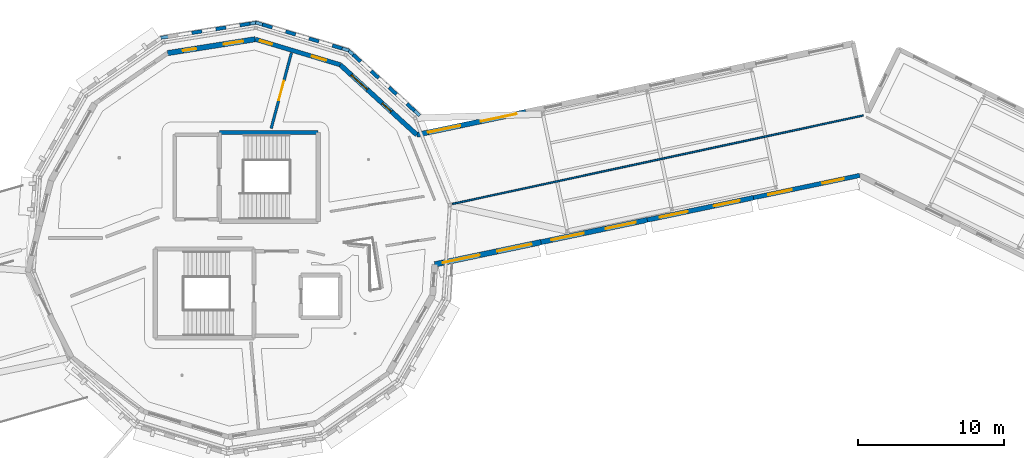
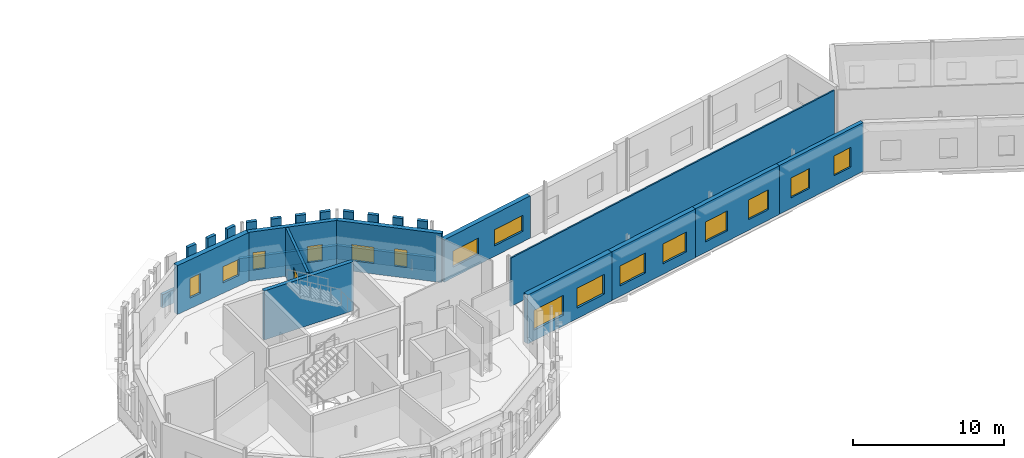
# One storey, part 61 of 90: 25 walls, 16 windows, 1 door, 17 openings.
"""IFC4 building model written with IfcOpenShell, lengths in metres."""

import ifcopenshell
import ifcopenshell.guid

model = None  # the IFC model being written
_history = None  # IfcOwnerHistory: only IFC2X3 demands one
_inside = {}  # id of a spatial element -> (the spatial element, [elements in it])
_under = {}  # id of a project, library or spatial element -> (it, [spatial elements below it])
_declared = {}  # id of a project -> (the project, [libraries it declares])
_typed = {}  # id of a type object -> (the type object, [elements of that type])
_made_of = {}  # id of a material, layer set ... -> (it, [elements and type objects made of it])


def new_model(schema):
    """Start an empty IFC model of exactly this schema.

    Asked for "IFC4X3", IfcOpenShell would pick the latest addendum, in which some entities
    have other attributes; the version numbers below select the first issue.
    IFC2X3 requires an IfcOwnerHistory on every rooted entity: one is made here for all.
    """
    global model, _history
    if schema == "IFC4X3":
        model = ifcopenshell.file(schema_version=(4, 3, 0, 0))
    else:
        model = ifcopenshell.file(schema=schema)
    _inside.clear()
    _under.clear()
    _declared.clear()
    _typed.clear()
    _made_of.clear()
    _history = None
    if model.schema == "IFC2X3":
        org = make("IfcOrganization", Name="unknown")
        user = make(
            "IfcPersonAndOrganization",
            ThePerson=make("IfcPerson", FamilyName="unknown"),
            TheOrganization=org,
        )
        app = make(
            "IfcApplication",
            ApplicationDeveloper=org,
            Version="unknown",
            ApplicationFullName="unknown",
            ApplicationIdentifier="unknown",
        )
        _history = make(
            "IfcOwnerHistory",
            OwningUser=user,
            OwningApplication=app,
            ChangeAction="ADDED",
            CreationDate=0,
        )
    return model


def make(cls, **values):
    """One entity of the class cls with the attributes given. An attribute that is None is left unset."""
    return model.create_entity(
        cls, **{name: value for name, value in values.items() if value is not None}
    )


def rooted(cls, **values):
    """An entity with a GlobalId (a new one), such as an element, a storey or a relation."""
    return make(cls, GlobalId=ifcopenshell.guid.new(), OwnerHistory=_history, **values)


def si_unit(unit_type, name, prefix=None):
    """IfcSIUnit, for example si_unit("LENGTHUNIT", "METRE", prefix="MILLI")."""
    return make("IfcSIUnit", UnitType=unit_type, Prefix=prefix, Name=name)


def assignment(units):
    """IfcUnitAssignment: the units of a project."""
    return None if units is None else make("IfcUnitAssignment", Units=units)


def point(xyz):
    """IfcCartesianPoint."""
    return None if xyz is None else make("IfcCartesianPoint", Coordinates=xyz)


def direction(xyz):
    """IfcDirection."""
    return None if xyz is None else make("IfcDirection", DirectionRatios=xyz)


def frame(location, z_axis=None, x_axis=None):
    """IfcAxis2Placement3D, a coordinate frame: its origin and axes. An axis left out is left unset."""
    return make(
        "IfcAxis2Placement3D",
        Location=point(location),
        Axis=direction(z_axis),
        RefDirection=direction(x_axis),
    )


def frame_2d(location, x_axis=None):
    """IfcAxis2Placement2D, a coordinate frame in the plane: its origin and x axis."""
    return make(
        "IfcAxis2Placement2D", Location=point(location), RefDirection=direction(x_axis)
    )


def origin():
    """The frame at (0, 0, 0) with its axes left unset."""
    return frame((0.0, 0.0, 0.0))


def place(relative_to, where):
    """IfcLocalPlacement: puts the frame where relative to a parent placement (None: the world)."""
    return make(
        "IfcLocalPlacement", PlacementRelTo=relative_to, RelativePlacement=where
    )


def context(
    kind, dimensions, precision=None, world=None, true_north=None, identifier=None
):
    """IfcGeometricRepresentationContext, for example the 3D "Model" context."""
    return make(
        "IfcGeometricRepresentationContext",
        ContextIdentifier=identifier,
        ContextType=kind,
        CoordinateSpaceDimension=dimensions,
        Precision=precision,
        WorldCoordinateSystem=world,
        TrueNorth=true_north,
    )


def subcontext(parent, identifier, kind, view, scale=None):
    """IfcGeometricRepresentationSubContext, for example "Body" below "Model"."""
    return make(
        "IfcGeometricRepresentationSubContext",
        ContextIdentifier=identifier,
        ContextType=kind,
        ParentContext=parent,
        TargetScale=scale,
        TargetView=view,
    )


def project(units=None, contexts=None):
    """IfcProject with its units and contexts."""
    return rooted(
        "IfcProject",
        Name="project",
        RepresentationContexts=contexts,
        UnitsInContext=assignment(units),
    )


def spatial(cls, under=None, at=None, **own):
    """A site, building, storey or space (cls), placed at a placement, below another one or the project."""
    s = rooted(cls, ObjectPlacement=at, **own)
    if under is not None:
        _under.setdefault(under.id(), (under, []))[1].append(s)
    return s


def profile(cls, at=None, kind="AREA", **sizes):
    """A parametric profile (cls). Its sizes go by their IFC names, for example OverallWidth=200.0."""
    return make(cls, ProfileType=kind, Position=at, **sizes)


def rectangle(**sizes):
    """IfcRectangleProfileDef."""
    return profile("IfcRectangleProfileDef", **sizes)


def extrude(swept, where, along, depth):
    """IfcExtrudedAreaSolid: the profile swept, set in the frame where, extruded along a direction by depth."""
    return make(
        "IfcExtrudedAreaSolid",
        SweptArea=swept,
        Position=where,
        ExtrudedDirection=direction(along),
        Depth=depth,
    )


def shape(context_of_items, identifier, shape_type, items):
    """IfcShapeRepresentation: the items that make up one representation, for example the "Body"."""
    return make(
        "IfcShapeRepresentation",
        ContextOfItems=context_of_items,
        RepresentationIdentifier=identifier,
        RepresentationType=shape_type,
        Items=items,
    )


def material(Name=None, Category=None):
    """IfcMaterial."""
    return make("IfcMaterial", Name=Name, Category=Category)


def layer(
    of_material, thickness, ventilated=None, Name=None, Category=None, Priority=None
):
    """IfcMaterialLayer: one layer of a wall or slab, of a material (None: an air gap)."""
    return make(
        "IfcMaterialLayer",
        Material=of_material,
        LayerThickness=thickness,
        IsVentilated=ventilated,
        Name=Name,
        Category=Category,
        Priority=Priority,
    )


def layer_set(layers, Name=None):
    """IfcMaterialLayerSet."""
    return make("IfcMaterialLayerSet", MaterialLayers=layers, LayerSetName=Name)


def made_of(thing, what):
    """Note that an element or type object is made of a material, layer set ...; save() writes the relation."""
    if what is not None:
        _made_of.setdefault(what.id(), (what, []))[1].append(thing)
    return thing


def type_object(cls, material=None, **own):
    """A type object (cls), such as IfcWallType, which elements share."""
    return made_of(rooted(cls, **own), material)


def element(
    cls,
    number,
    at=None,
    inside=None,
    cuts=None,
    type_object=None,
    material=None,
    context=None,
    identifier="Body",
    shape_type=None,
    held_by="IfcProductDefinitionShape",
    body=None,
    shapes=None,
    **own,
):
    """One element of the class cls, such as IfcWall. Its Tag is "e" and its number.

    at: its placement. inside: the storey or other place that contains it. cuts: it is an
    opening in that element (IfcRelVoidsElement). A single representation is given by context,
    identifier, shape_type and body (its items); several are given by shapes. held_by: the class
    of the entity that holds the representations. save() writes the other relations.
    """
    e = rooted(cls, Tag="e%d" % number, ObjectPlacement=at, **own)
    if body is not None:
        shapes = [shape(context, identifier, shape_type, body)]
    if shapes is not None:
        e.Representation = make(held_by, Representations=shapes)
    if inside is not None:
        _inside.setdefault(inside.id(), (inside, []))[1].append(e)
    if cuts is not None:
        rooted(
            "IfcRelVoidsElement", RelatingBuildingElement=cuts, RelatedOpeningElement=e
        )
    if type_object is not None:
        _typed.setdefault(type_object.id(), (type_object, []))[1].append(e)
    return made_of(e, material)


def fill(opening, filler):
    """IfcRelFillsElement: the door or window that sits in an opening."""
    return rooted(
        "IfcRelFillsElement",
        RelatingOpeningElement=opening,
        RelatedBuildingElement=filler,
    )


def aggregate(whole, parts):
    """IfcRelAggregates: a whole, such as a stair, and the parts it consists of."""
    return rooted("IfcRelAggregates", RelatingObject=whole, RelatedObjects=parts)


def save(model, path):
    """Write the relations noted so far, then the file.

    IfcRelAggregates (storeys below a building ...), IfcRelContainedInSpatialStructure (elements
    in a storey), IfcRelDefinesByType, IfcRelAssociatesMaterial and IfcRelDeclares: one each for
    every whole, place, type object, material and project.
    """
    for whole, parts in _under.values():
        aggregate(whole, parts)
    for where, things in _inside.values():
        rooted(
            "IfcRelContainedInSpatialStructure",
            RelatedElements=things,
            RelatingStructure=where,
        )
    for kind, things in _typed.values():
        rooted("IfcRelDefinesByType", RelatedObjects=things, RelatingType=kind)
    for what, things in _made_of.values():
        rooted("IfcRelAssociatesMaterial", RelatedObjects=things, RelatingMaterial=what)
    for by, libraries in _declared.values():
        rooted("IfcRelDeclares", RelatingContext=by, RelatedDefinitions=libraries)
    model.write(path)


model = new_model("IFC4")

# Units and contexts
model_context = context("Model", 3, precision=1e-05, world=origin(), true_north=direction((0.0, 1.0)))
body_context = subcontext(model_context, "Body", "Model", "MODEL_VIEW")
ifc_project = project(units=[si_unit("LENGTHUNIT", "METRE"), si_unit("AREAUNIT", "SQUARE_METRE"), si_unit("VOLUMEUNIT", "CUBIC_METRE"), si_unit("PLANEANGLEUNIT", "RADIAN"), si_unit("MASSUNIT", "GRAM", prefix="KILO")], contexts=[model_context])

# Site, building, storey
site_placement = place(None, origin())
site = spatial("IfcSite", under=ifc_project, at=site_placement, CompositionType="ELEMENT")
building_placement = place(site_placement, origin())
building = spatial("IfcBuilding", under=site, at=building_placement, Name="Wrenclough Park School", CompositionType="ELEMENT")
storey_placement = place(building_placement, frame((0.0, 0.0, 8.39990234375)))
storey = spatial("IfcBuildingStorey", under=building, at=storey_placement, Name="L02", CompositionType="ELEMENT", Elevation=8.39990234375)

# Walls
ifc_material_1 = material(Name="Perforated open-bond Staffordshire and Manchester brick screen pier", Category="masonry")
ifc_layer_1 = layer(ifc_material_1, 0.2451171875)
ifc_layer_set_1 = layer_set([ifc_layer_1], Name="Perforated open-bond Staffordshire and Manchester brick screen pier")
wall_type_1 = type_object("IfcWallType", Name="ENV-BS-PR245", PredefinedType="ELEMENTEDWALL", material=ifc_layer_set_1)
for number, where, z_axis, x_axis, name in (
    (1, (94.851318359375, 117.23583984375, 1.090087890625), (0.0, 0.0, 1.0), (-0.738093238047, 0.674698726803, 0.0), "D4 L02 perforated brick screen pier 0545"),
    (2, (93.619384765625, 118.36181640625, 1.090087890625), (0.0, 0.0, 1.0), (-0.738093238047, 0.674698726803, 0.0), "D4 L02 perforated brick screen pier 0546"),
    (3, (92.3876953125, 119.48779296875, 1.090087890625), (0.0, 0.0, 1.0), (-0.738093238047, 0.674698726803, 0.0), "D4 L02 perforated brick screen pier 0547"),
    (4, (91.15576171875, 120.61376953125, 1.090087890625), (0.0, 0.0, 1.0), (-0.738093238047, 0.674698726803, 0.0), "D4 L02 perforated brick screen pier 0548"),
    (5, (89.88720703125, 121.512939453125, 1.090087890625), (0.0, 0.0, 1.0), (-0.957730379015, 0.287667379297, 0.0), "D4 L02 perforated brick screen pier 0549"),
    (6, (88.288818359375, 121.992919921875, 1.090087890625), (0.0, 0.0, 1.0), (-0.957730379015, 0.287667379297, 0.0), "D4 L02 perforated brick screen pier 0550"),
    (7, (86.6904296875, 122.472900390625, 1.090087890625), (0.0, 0.0, 1.0), (-0.957826285221, 0.287347885566, 0.0), "D4 L02 perforated brick screen pier 0551"),
    (8, (85.092041015625, 122.952880859375, 1.090087890625), (0.0, 0.0, 1.0), (-0.957826285221, 0.287347885566, 0.0), "D4 L02 perforated brick screen pier 0552"),
    (9, (83.55908203125, 123.21240234375, 1.090087890625), (0.0, 0.0, 1.0), (-0.987697931756, -0.156373896812, 0.0), "D4 L02 perforated brick screen pier 0553"),
    (10, (81.910888671875, 122.951416015625, 1.090087890625), (0.0, 0.0, 1.0), (-0.987697931756, -0.156373896812, 0.0), "D4 L02 perforated brick screen pier 0554"),
    (11, (80.262451171875, 122.690185546875, 1.090087890625), (0.0, 0.0, 1.0), (-0.987751666832, -0.156034113801, 0.0), "D4 L02 perforated brick screen pier 0555"),
):
    element("IfcWall", number, at=place(storey_placement, frame(where, z_axis=z_axis, x_axis=x_axis)), inside=storey, type_object=wall_type_1, Name=name, PredefinedType="ELEMENTEDWALL", context=body_context, shape_type="SweptSolid", body=[
        extrude(rectangle(XDim=0.700927734375, YDim=0.2451171875, at=frame_2d((0.3505859375, 0.0))), origin(), (0.0, 0.0, 1.0), 2.85009765625),
    ])
ifc_material_2 = material(Name="Open-bond Manchester multi-stock brick spandrel screen", Category="masonry")
ifc_layer_2 = layer(ifc_material_2, 0.22509765625)
ifc_layer_set_2 = layer_set([ifc_layer_2], Name="Open-bond Manchester multi-stock brick spandrel screen")
wall_type_2 = type_object("IfcWallType", Name="ENV-BS-SP225", PredefinedType="ELEMENTEDWALL", material=ifc_layer_set_2)
wall_1_placement = place(storey_placement, frame((95.20849609375, 116.909423828125, 0.0), z_axis=(0.0, 0.0, 1.0), x_axis=(-0.738121953815, 0.674667311566, 0.0)))
element("IfcWall", 12, at=wall_1_placement, inside=storey, type_object=wall_type_2, Name="D4 L02 open-bond brick screen spandrel 0148", PredefinedType="ELEMENTEDWALL", context=body_context, shape_type="SweptSolid", body=[
    extrude(rectangle(XDim=6.67529296875, YDim=0.22509765625, at=frame_2d((3.337646484375, 0.0))), origin(), (0.0, 0.0, 1.0), 1.090087890625),
])
for number, where, z_axis, x_axis, name in (
    (13, (90.350830078125, 121.373779296875, 0.0), (0.0, 0.0, 1.0), (-0.957749751871, 0.287602873404, 0.0), "D4 L02 open-bond brick screen spandrel 0149"),
    (14, (84.037109375, 123.2880859375, 0.0), (0.0, 0.0, 1.0), (-0.987690206406, -0.156422684322, 0.0), "D4 L02 open-bond brick screen spandrel 0150"),
):
    element("IfcWall", number, at=place(storey_placement, frame(where, z_axis=z_axis, x_axis=x_axis)), inside=storey, type_object=wall_type_2, Name=name, PredefinedType="ELEMENTEDWALL", context=body_context, shape_type="SweptSolid", body=[
        extrude(rectangle(XDim=6.675537109375, YDim=0.22509765625, at=frame_2d((3.337890625, 0.0))), origin(), (0.0, 0.0, 1.0), 1.090087890625),
    ])

# Wall, openings, windows
ifc_material_3 = material(Name="Manchester multi-stock brick and Concrete C32/40 inner leaf", Category="masonry")
ifc_layer_3 = layer(ifc_material_3, 0.300048828125)
ifc_layer_set_3 = layer_set([ifc_layer_3], Name="Manchester multi-stock brick and Concrete C32/40 inner leaf")
wall_type_3 = type_object("IfcWallType", Name="ENV-EW-300", PredefinedType="SOLIDWALL", material=ifc_layer_set_3)
wall_2_placement = place(storey_placement, frame((125.401611328125, 112.797607421875, 0.0), z_axis=(0.0, 0.0, 1.0), x_axis=(-0.978794293799, -0.20484562584, 0.0)))
wall_2 = element("IfcWall", 15, at=wall_2_placement, inside=storey, type_object=wall_type_3, Name="L02 insulated brick external wall 0152", PredefinedType="SOLIDWALL", context=body_context, shape_type="SweptSolid", body=[
    extrude(rectangle(XDim=7.44775390625, YDim=0.300048828125, at=frame_2d((3.723876953125, 0.0))), origin(), (0.0, 0.0, 1.0), 3.940185546875),
])
opening_1_placement = place(wall_2_placement, frame((1.11181640625, 0.0, 0.85009765625)))
opening_1 = element("IfcOpeningElement", 16, at=opening_1_placement, cuts=wall_2, Name="Opening WN-17", PredefinedType="OPENING", context=body_context, shape_type="SweptSolid", body=[
    extrude(rectangle(XDim=1.5, YDim=1.60009765625, at=frame_2d((0.75, 0.800048828125))), frame((0.0, 0.159912109375, 0.0), z_axis=(0.0, -1.0, 0.0), x_axis=(1.0, 0.0, 0.0)), (0.0, 0.0, 1.0), 0.320068359375),
])
opening_2_placement = place(wall_2_placement, frame((4.7607421875, 0.0, 0.85009765625)))
opening_2 = element("IfcOpeningElement", 17, at=opening_2_placement, cuts=wall_2, Name="Opening WN-18", PredefinedType="OPENING", context=body_context, shape_type="SweptSolid", body=[
    extrude(rectangle(XDim=1.64990234375, YDim=1.60009765625, at=frame_2d((0.824951171875, 0.800048828125))), frame((0.0, 0.159912109375, 0.0), z_axis=(0.0, -1.0, 0.0), x_axis=(1.0, 0.0, 0.0)), (0.0, 0.0, 1.0), 0.320068359375),
])
ifc_material_4 = material(Name="Thermally broken aluminium and double-glazed low-e glass", Category="aluminium")
window_type_1 = type_object("IfcWindowType", Name="ENV-WN-17", PartitioningType="DOUBLE_PANEL_VERTICAL", PredefinedType="WINDOW", material=ifc_material_4)
window_1_placement = place(opening_1_placement, origin())
window_1 = element("IfcWindow", 18, at=window_1_placement, inside=storey, type_object=window_type_1, Name="L02 scheduled facade window 0240", OverallHeight=1.60009765625, OverallWidth=1.5, PartitioningType="SINGLE_PANEL", PredefinedType="WINDOW", context=body_context, shape_type="SweptSolid", body=[
    extrude(rectangle(XDim=1.5, YDim=1.60009765625, at=frame_2d((0.75, 0.800048828125))), frame((0.0, 0.030029296875, 0.0), z_axis=(0.0, -1.0, 0.0), x_axis=(1.0, 0.0, 0.0)), (0.0, 0.0, 1.0), 0.06005859375),
])
fill(opening_1, window_1)
window_type_2 = type_object("IfcWindowType", Name="ENV-WN-18", PartitioningType="DOUBLE_PANEL_VERTICAL", PredefinedType="WINDOW", material=ifc_material_4)
window_2_placement = place(opening_2_placement, origin())
window_2 = element("IfcWindow", 19, at=window_2_placement, inside=storey, type_object=window_type_2, Name="L02 scheduled facade window 0241", OverallHeight=1.60009765625, OverallWidth=1.64990234375, PartitioningType="SINGLE_PANEL", PredefinedType="WINDOW", context=body_context, shape_type="SweptSolid", body=[
    extrude(rectangle(XDim=1.64990234375, YDim=1.60009765625, at=frame_2d((0.824951171875, 0.800048828125))), frame((0.0, 0.030029296875, 0.0), z_axis=(0.0, -1.0, 0.0), x_axis=(1.0, 0.0, 0.0)), (0.0, 0.0, 1.0), 0.06005859375),
])
fill(opening_2, window_2)

wall_3_placement = place(storey_placement, frame((83.920166015625, 122.14599609375, 0.0), z_axis=(0.0, 0.0, 1.0), x_axis=(0.957750075894, -0.28760179437, 0.0)))
wall_3 = element("IfcWall", 20, at=wall_3_placement, inside=storey, type_object=wall_type_3, Name="L02 insulated brick external wall 0168", PredefinedType="SOLIDWALL", context=body_context, shape_type="SweptSolid", body=[
    extrude(rectangle(XDim=6.08642578125, YDim=0.300048828125, at=frame_2d((3.043212890625, 0.0))), origin(), (0.0, 0.0, 1.0), 3.940185546875),
])
opening_3_placement = place(wall_3_placement, frame((0.35009765625, 0.0, 0.85009765625)))
opening_3 = element("IfcOpeningElement", 21, at=opening_3_placement, cuts=wall_3, Name="Opening WN-01", PredefinedType="OPENING", context=body_context, shape_type="SweptSolid", body=[
    extrude(rectangle(XDim=0.85009765625, YDim=1.39990234375, at=frame_2d((0.425048828125, 0.699951171875))), frame((0.0, 0.159912109375, 0.0), z_axis=(0.0, -1.0, 0.0), x_axis=(1.0, 0.0, 0.0)), (0.0, 0.0, 1.0), 0.320068359375),
])
opening_4_placement = place(wall_3_placement, frame((4.06494140625, 0.0, 0.85009765625)))
opening_4 = element("IfcOpeningElement", 22, at=opening_4_placement, cuts=wall_3, Name="Opening WN-45", PredefinedType="OPENING", context=body_context, shape_type="SweptSolid", body=[
    extrude(rectangle(XDim=1.0, YDim=1.300048828125, at=frame_2d((0.5, 0.64990234375))), frame((0.0, 0.159912109375, 0.0), z_axis=(0.0, -1.0, 0.0), x_axis=(1.0, 0.0, 0.0)), (0.0, 0.0, 1.0), 0.320068359375),
])
window_type_3 = type_object("IfcWindowType", Name="ENV-WN-01", PartitioningType="SINGLE_PANEL", PredefinedType="WINDOW", material=ifc_material_4)
window_3_placement = place(opening_3_placement, origin())
window_3 = element("IfcWindow", 23, at=window_3_placement, inside=storey, type_object=window_type_3, Name="L02 scheduled facade window 0267", OverallHeight=1.39990234375, OverallWidth=0.85009765625, PartitioningType="SINGLE_PANEL", PredefinedType="WINDOW", context=body_context, shape_type="SweptSolid", body=[
    extrude(rectangle(XDim=0.85009765625, YDim=1.39990234375, at=frame_2d((0.425048828125, 0.699951171875))), frame((0.0, 0.030029296875, 0.0), z_axis=(0.0, -1.0, 0.0), x_axis=(1.0, 0.0, 0.0)), (0.0, 0.0, 1.0), 0.06005859375),
])
fill(opening_3, window_3)
window_type_4 = type_object("IfcWindowType", Name="ENV-WN-45", PartitioningType="SINGLE_PANEL", PredefinedType="WINDOW", material=ifc_material_4)
window_4_placement = place(opening_4_placement, origin())
window_4 = element("IfcWindow", 24, at=window_4_placement, inside=storey, type_object=window_type_4, Name="L02 scheduled facade window 0268", OverallHeight=1.300048828125, OverallWidth=1.0, PartitioningType="SINGLE_PANEL", PredefinedType="WINDOW", context=body_context, shape_type="SweptSolid", body=[
    extrude(rectangle(XDim=1.0, YDim=1.300048828125, at=frame_2d((0.5, 0.64990234375))), frame((0.0, 0.030029296875, 0.0), z_axis=(0.0, -1.0, 0.0), x_axis=(1.0, 0.0, 0.0)), (0.0, 0.0, 1.0), 0.06005859375),
])
fill(opening_4, window_4)

ifc_layer_4 = layer(ifc_material_3, 0.324951171875)
ifc_layer_set_4 = layer_set([ifc_layer_4], Name="Manchester multi-stock brick and Concrete C32/40 inner leaf")
wall_type_4 = type_object("IfcWallType", Name="ENV-EW-325", PredefinedType="SOLIDWALL", material=ifc_layer_set_4)
wall_4_placement = place(storey_placement, frame((118.11181640625, 111.27197265625, 0.0), z_axis=(0.0, 0.0, 1.0), x_axis=(-0.978787720784, -0.20487703054, 0.0)))
wall_4 = element("IfcWall", 25, at=wall_4_placement, inside=storey, type_object=wall_type_4, Name="L02 insulated brick external wall 0153", PredefinedType="SOLIDWALL", context=body_context, shape_type="SweptSolid", body=[
    extrude(rectangle(XDim=7.44775390625, YDim=0.324951171875, at=frame_2d((3.723876953125, 0.0))), origin(), (0.0, 0.0, 1.0), 3.940185546875),
])
opening_5_placement = place(wall_4_placement, frame((0.9619140625, 0.0, 0.85009765625)))
opening_5 = element("IfcOpeningElement", 26, at=opening_5_placement, cuts=wall_4, Name="Opening WN-19", PredefinedType="OPENING", context=body_context, shape_type="SweptSolid", body=[
    extrude(rectangle(XDim=1.800048828125, YDim=1.60009765625, at=frame_2d((0.89990234375, 0.800048828125))), frame((0.0, 0.17236328125, 0.0), z_axis=(0.0, -1.0, 0.0), x_axis=(1.0, 0.0, 0.0)), (0.0, 0.0, 1.0), 0.344970703125),
])
opening_6_placement = place(wall_4_placement, frame((4.61083984375, 0.0, 0.85009765625)))
opening_6 = element("IfcOpeningElement", 27, at=opening_6_placement, cuts=wall_4, Name="Opening WN-20", PredefinedType="OPENING", context=body_context, shape_type="SweptSolid", body=[
    extrude(rectangle(XDim=1.949951171875, YDim=1.60009765625, at=frame_2d((0.97509765625, 0.800048828125))), frame((0.0, 0.17236328125, 0.0), z_axis=(0.0, -1.0, 0.0), x_axis=(1.0, 0.0, 0.0)), (0.0, 0.0, 1.0), 0.344970703125),
])
window_type_5 = type_object("IfcWindowType", Name="ENV-WN-19", PartitioningType="DOUBLE_PANEL_VERTICAL", PredefinedType="WINDOW", material=ifc_material_4)
window_5_placement = place(opening_5_placement, origin())
window_5 = element("IfcWindow", 28, at=window_5_placement, inside=storey, type_object=window_type_5, Name="L02 scheduled facade window 0242", OverallHeight=1.60009765625, OverallWidth=1.800048828125, PartitioningType="SINGLE_PANEL", PredefinedType="WINDOW", context=body_context, shape_type="SweptSolid", body=[
    extrude(rectangle(XDim=1.800048828125, YDim=1.60009765625, at=frame_2d((0.89990234375, 0.800048828125))), frame((0.0, 0.030029296875, 0.0), z_axis=(0.0, -1.0, 0.0), x_axis=(1.0, 0.0, 0.0)), (0.0, 0.0, 1.0), 0.06005859375),
])
fill(opening_5, window_5)
window_type_6 = type_object("IfcWindowType", Name="ENV-WN-20", PartitioningType="DOUBLE_PANEL_VERTICAL", PredefinedType="WINDOW", material=ifc_material_4)
window_6_placement = place(opening_6_placement, origin())
window_6 = element("IfcWindow", 29, at=window_6_placement, inside=storey, type_object=window_type_6, Name="L02 scheduled facade window 0243", OverallHeight=1.60009765625, OverallWidth=1.949951171875, PartitioningType="SINGLE_PANEL", PredefinedType="WINDOW", context=body_context, shape_type="SweptSolid", body=[
    extrude(rectangle(XDim=1.949951171875, YDim=1.60009765625, at=frame_2d((0.97509765625, 0.800048828125))), frame((0.0, 0.030029296875, 0.0), z_axis=(0.0, -1.0, 0.0), x_axis=(1.0, 0.0, 0.0)), (0.0, 0.0, 1.0), 0.06005859375),
])
fill(opening_6, window_6)

wall_5_placement = place(storey_placement, frame((89.74951171875, 120.3955078125, 0.0), z_axis=(0.0, 0.0, 1.0), x_axis=(0.738102453677, -0.674688645136, 0.0)))
wall_5 = element("IfcWall", 30, at=wall_5_placement, inside=storey, type_object=wall_type_4, Name="L02 insulated brick external wall 0169", PredefinedType="SOLIDWALL", context=body_context, shape_type="SweptSolid", body=[
    extrude(rectangle(XDim=7.122314453125, YDim=0.324951171875, at=frame_2d((3.56103515625, 0.0))), origin(), (0.0, 0.0, 1.0), 3.940185546875),
])
opening_7_placement = place(wall_5_placement, frame((1.030517578125, 0.0, 0.85009765625)))
opening_7 = element("IfcOpeningElement", 31, at=opening_7_placement, cuts=wall_5, Name="Opening WN-46", PredefinedType="OPENING", context=body_context, shape_type="SweptSolid", body=[
    extrude(rectangle(XDim=1.5, YDim=1.300048828125, at=frame_2d((0.75, 0.64990234375))), frame((0.0, 0.17236328125, 0.0), z_axis=(0.0, -1.0, 0.0), x_axis=(1.0, 0.0, 0.0)), (0.0, 0.0, 1.0), 0.344970703125),
])
opening_8_placement = place(wall_5_placement, frame((3.9111328125, 0.0, 0.85009765625)))
opening_8 = element("IfcOpeningElement", 32, at=opening_8_placement, cuts=wall_5, Name="Opening WN-01", PredefinedType="OPENING", context=body_context, shape_type="SweptSolid", body=[
    extrude(rectangle(XDim=0.85009765625, YDim=1.39990234375, at=frame_2d((0.425048828125, 0.699951171875))), frame((0.0, 0.17236328125, 0.0), z_axis=(0.0, -1.0, 0.0), x_axis=(1.0, 0.0, 0.0)), (0.0, 0.0, 1.0), 0.344970703125),
])
window_7_placement = place(opening_8_placement, origin())
window_7 = element("IfcWindow", 33, at=window_7_placement, inside=storey, type_object=window_type_3, Name="L02 scheduled facade window 0270", OverallHeight=1.39990234375, OverallWidth=0.85009765625, PartitioningType="SINGLE_PANEL", PredefinedType="WINDOW", context=body_context, shape_type="SweptSolid", body=[
    extrude(rectangle(XDim=0.85009765625, YDim=1.39990234375, at=frame_2d((0.425048828125, 0.699951171875))), frame((0.0, 0.030029296875, 0.0), z_axis=(0.0, -1.0, 0.0), x_axis=(1.0, 0.0, 0.0)), (0.0, 0.0, 1.0), 0.06005859375),
])
fill(opening_8, window_7)
window_type_7 = type_object("IfcWindowType", Name="ENV-WN-46", PartitioningType="DOUBLE_PANEL_VERTICAL", PredefinedType="WINDOW", material=ifc_material_4)
window_8_placement = place(opening_7_placement, origin())
window_8 = element("IfcWindow", 34, at=window_8_placement, inside=storey, type_object=window_type_7, Name="L02 scheduled facade window 0269", OverallHeight=1.300048828125, OverallWidth=1.5, PartitioningType="SINGLE_PANEL", PredefinedType="WINDOW", context=body_context, shape_type="SweptSolid", body=[
    extrude(rectangle(XDim=1.5, YDim=1.300048828125, at=frame_2d((0.75, 0.64990234375))), frame((0.0, 0.030029296875, 0.0), z_axis=(0.0, -1.0, 0.0), x_axis=(1.0, 0.0, 0.0)), (0.0, 0.0, 1.0), 0.06005859375),
])
fill(opening_7, window_8)

ifc_material_5 = material(Name="Staffordshire blue-grey brick and Concrete C35/45 inner leaf", Category="masonry")
ifc_layer_5 = layer(ifc_material_5, 0.35009765625)
ifc_layer_set_5 = layer_set([ifc_layer_5], Name="Staffordshire blue-grey brick and Concrete C35/45 inner leaf")
wall_type_5 = type_object("IfcWallType", Name="ENV-EW-350", PredefinedType="SOLIDWALL", material=ifc_layer_set_5)
wall_6_placement = place(storey_placement, frame((110.822021484375, 109.74609375, 0.0), z_axis=(0.0, 0.0, 1.0), x_axis=(-0.978794293799, -0.20484562584, 0.0)))
wall_6 = element("IfcWall", 35, at=wall_6_placement, inside=storey, type_object=wall_type_5, Name="L02 insulated brick external wall 0154", PredefinedType="SOLIDWALL", context=body_context, shape_type="SweptSolid", body=[
    extrude(rectangle(XDim=7.44775390625, YDim=0.35009765625, at=frame_2d((3.723876953125, 0.0))), origin(), (0.0, 0.0, 1.0), 3.940185546875),
])
opening_9_placement = place(wall_6_placement, frame((0.81201171875, 0.0, 0.85009765625)))
opening_9 = element("IfcOpeningElement", 36, at=opening_9_placement, cuts=wall_6, Name="Opening WN-21", PredefinedType="OPENING", context=body_context, shape_type="SweptSolid", body=[
    extrude(rectangle(XDim=2.10009765625, YDim=1.60009765625, at=frame_2d((1.050048828125, 0.800048828125))), frame((0.0, 0.18505859375, 0.0), z_axis=(0.0, -1.0, 0.0), x_axis=(1.0, 0.0, 0.0)), (0.0, 0.0, 1.0), 0.3701171875),
])
opening_10_placement = place(wall_6_placement, frame((4.460693359375, 0.0, 0.85009765625)))
opening_10 = element("IfcOpeningElement", 37, at=opening_10_placement, cuts=wall_6, Name="Opening WN-22", PredefinedType="OPENING", context=body_context, shape_type="SweptSolid", body=[
    extrude(rectangle(XDim=2.25, YDim=1.60009765625, at=frame_2d((1.125, 0.800048828125))), frame((0.0, 0.18505859375, 0.0), z_axis=(0.0, -1.0, 0.0), x_axis=(1.0, 0.0, 0.0)), (0.0, 0.0, 1.0), 0.3701171875),
])
window_type_8 = type_object("IfcWindowType", Name="ENV-WN-21", PartitioningType="DOUBLE_PANEL_VERTICAL", PredefinedType="WINDOW", material=ifc_material_4)
window_9_placement = place(opening_9_placement, origin())
window_9 = element("IfcWindow", 38, at=window_9_placement, inside=storey, type_object=window_type_8, Name="L02 scheduled facade window 0244", OverallHeight=1.60009765625, OverallWidth=2.10009765625, PartitioningType="SINGLE_PANEL", PredefinedType="WINDOW", context=body_context, shape_type="SweptSolid", body=[
    extrude(rectangle(XDim=2.10009765625, YDim=1.60009765625, at=frame_2d((1.050048828125, 0.800048828125))), frame((0.0, 0.030029296875, 0.0), z_axis=(0.0, -1.0, 0.0), x_axis=(1.0, 0.0, 0.0)), (0.0, 0.0, 1.0), 0.06005859375),
])
fill(opening_9, window_9)
window_type_9 = type_object("IfcWindowType", Name="ENV-WN-22", PartitioningType="DOUBLE_PANEL_VERTICAL", PredefinedType="WINDOW", material=ifc_material_4)
window_10_placement = place(opening_10_placement, origin())
window_10 = element("IfcWindow", 39, at=window_10_placement, inside=storey, type_object=window_type_9, Name="L02 scheduled facade window 0245", OverallHeight=1.60009765625, OverallWidth=2.25, PartitioningType="SINGLE_PANEL", PredefinedType="WINDOW", context=body_context, shape_type="SweptSolid", body=[
    extrude(rectangle(XDim=2.25, YDim=1.60009765625, at=frame_2d((1.125, 0.800048828125))), frame((0.0, 0.030029296875, 0.0), z_axis=(0.0, -1.0, 0.0), x_axis=(1.0, 0.0, 0.0)), (0.0, 0.0, 1.0), 0.06005859375),
])
fill(opening_10, window_10)

wall_7_placement = place(storey_placement, frame((95.006591796875, 115.590087890625, 0.0), z_axis=(0.0, 0.0, 1.0), x_axis=(0.978789137369, 0.204870262772, 0.0)))
wall_7 = element("IfcWall", 40, at=wall_7_placement, inside=storey, type_object=wall_type_5, Name="L02 insulated brick external wall 0170", PredefinedType="SOLIDWALL", context=body_context, shape_type="SweptSolid", body=[
    extrude(rectangle(XDim=7.65185546875, YDim=0.35009765625, at=frame_2d((3.825927734375, 0.0))), origin(), (0.0, 0.0, 1.0), 3.408935546875),
])
opening_11_placement = place(wall_7_placement, frame((0.787841796875, 0.0, 0.85009765625)))
opening_11 = element("IfcOpeningElement", 41, at=opening_11_placement, cuts=wall_7, Name="Opening WN-48", PredefinedType="OPENING", context=body_context, shape_type="SweptSolid", body=[
    extrude(rectangle(XDim=2.25, YDim=1.300048828125, at=frame_2d((1.125, 0.64990234375))), frame((0.0, 0.18505859375, 0.0), z_axis=(0.0, -1.0, 0.0), x_axis=(1.0, 0.0, 0.0)), (0.0, 0.0, 1.0), 0.3701171875),
])
opening_12_placement = place(wall_7_placement, frame((4.48876953125, 0.0, 0.85009765625)))
opening_12 = element("IfcOpeningElement", 42, at=opening_12_placement, cuts=wall_7, Name="Opening WN-49", PredefinedType="OPENING", context=body_context, shape_type="SweptSolid", body=[
    extrude(rectangle(XDim=2.5, YDim=1.300048828125, at=frame_2d((1.25, 0.64990234375))), frame((0.0, 0.18505859375, 0.0), z_axis=(0.0, -1.0, 0.0), x_axis=(1.0, 0.0, 0.0)), (0.0, 0.0, 1.0), 0.3701171875),
])
window_type_10 = type_object("IfcWindowType", Name="ENV-WN-48", PartitioningType="DOUBLE_PANEL_VERTICAL", PredefinedType="WINDOW", material=ifc_material_4)
window_11_placement = place(opening_11_placement, origin())
window_11 = element("IfcWindow", 43, at=window_11_placement, inside=storey, type_object=window_type_10, Name="L02 scheduled facade window 0271", OverallHeight=1.300048828125, OverallWidth=2.25, PartitioningType="SINGLE_PANEL", PredefinedType="WINDOW", context=body_context, shape_type="SweptSolid", body=[
    extrude(rectangle(XDim=2.25, YDim=1.300048828125, at=frame_2d((1.125, 0.64990234375))), frame((0.0, 0.030029296875, 0.0), z_axis=(0.0, -1.0, 0.0), x_axis=(1.0, 0.0, 0.0)), (0.0, 0.0, 1.0), 0.06005859375),
])
fill(opening_11, window_11)
window_type_11 = type_object("IfcWindowType", Name="ENV-WN-49", PartitioningType="DOUBLE_PANEL_VERTICAL", PredefinedType="WINDOW", material=ifc_material_4)
window_12_placement = place(opening_12_placement, origin())
window_12 = element("IfcWindow", 44, at=window_12_placement, inside=storey, type_object=window_type_11, Name="L02 scheduled facade window 0272", OverallHeight=1.300048828125, OverallWidth=2.5, PartitioningType="SINGLE_PANEL", PredefinedType="WINDOW", context=body_context, shape_type="SweptSolid", body=[
    extrude(rectangle(XDim=2.5, YDim=1.300048828125, at=frame_2d((1.25, 0.64990234375))), frame((0.0, 0.030029296875, 0.0), z_axis=(0.0, -1.0, 0.0), x_axis=(1.0, 0.0, 0.0)), (0.0, 0.0, 1.0), 0.06005859375),
])
fill(opening_12, window_12)

ifc_material_6 = material(Name="Faceted courtyard brick-cavity wall Concrete C35/45", Category="masonry")
ifc_layer_6 = layer(ifc_material_6, 0.364990234375)
ifc_layer_set_6 = layer_set([ifc_layer_6], Name="Faceted courtyard brick-cavity wall Concrete C35/45")
wall_type_6 = type_object("IfcWallType", Name="ENV-EW-365", PredefinedType="SOLIDWALL", material=ifc_layer_set_6)
wall_8_placement = place(storey_placement, frame((77.907958984375, 121.19384765625, 0.0), z_axis=(0.0, 0.0, 1.0), x_axis=(0.987690665759, 0.156419783824, 0.0)))
wall_8 = element("IfcWall", 45, at=wall_8_placement, inside=storey, type_object=wall_type_6, Name="L02 insulated brick external wall 0167", PredefinedType="SOLIDWALL", context=body_context, shape_type="SweptSolid", body=[
    extrude(rectangle(XDim=6.087158203125, YDim=0.364990234375, at=frame_2d((3.04345703125, 0.0))), origin(), (0.0, 0.0, 1.0), 3.940185546875),
])
opening_13_placement = place(wall_8_placement, frame((1.07177734375, 0.0, 0.85009765625)))
opening_13 = element("IfcOpeningElement", 46, at=opening_13_placement, cuts=wall_8, Name="Opening WN-13", PredefinedType="OPENING", context=body_context, shape_type="SweptSolid", body=[
    extrude(rectangle(XDim=0.89990234375, YDim=1.60009765625, at=frame_2d((0.449951171875, 0.800048828125))), frame((0.0, 0.1923828125, 0.0), z_axis=(0.0, -1.0, 0.0), x_axis=(1.0, 0.0, 0.0)), (0.0, 0.0, 1.0), 0.385009765625),
])
opening_14_placement = place(wall_8_placement, frame((3.890380859375, 0.0, 0.85009765625)))
opening_14 = element("IfcOpeningElement", 47, at=opening_14_placement, cuts=wall_8, Name="Opening WN-43", PredefinedType="OPENING", context=body_context, shape_type="SweptSolid", body=[
    extrude(rectangle(XDim=1.35009765625, YDim=1.300048828125, at=frame_2d((0.675048828125, 0.64990234375))), frame((0.0, 0.1923828125, 0.0), z_axis=(0.0, -1.0, 0.0), x_axis=(1.0, 0.0, 0.0)), (0.0, 0.0, 1.0), 0.385009765625),
])
window_type_12 = type_object("IfcWindowType", Name="ENV-WN-13", PartitioningType="SINGLE_PANEL", PredefinedType="WINDOW", material=ifc_material_4)
window_13_placement = place(opening_13_placement, origin())
window_13 = element("IfcWindow", 48, at=window_13_placement, inside=storey, type_object=window_type_12, Name="L02 scheduled facade window 0265", OverallHeight=1.60009765625, OverallWidth=0.89990234375, PartitioningType="SINGLE_PANEL", PredefinedType="WINDOW", context=body_context, shape_type="SweptSolid", body=[
    extrude(rectangle(XDim=0.89990234375, YDim=1.60009765625, at=frame_2d((0.449951171875, 0.800048828125))), frame((0.0, 0.030029296875, 0.0), z_axis=(0.0, -1.0, 0.0), x_axis=(1.0, 0.0, 0.0)), (0.0, 0.0, 1.0), 0.06005859375),
])
fill(opening_13, window_13)
window_type_13 = type_object("IfcWindowType", Name="ENV-WN-43", PartitioningType="SINGLE_PANEL", PredefinedType="WINDOW", material=ifc_material_4)
window_14_placement = place(opening_14_placement, origin())
window_14 = element("IfcWindow", 49, at=window_14_placement, inside=storey, type_object=window_type_13, Name="L02 scheduled facade window 0266", OverallHeight=1.300048828125, OverallWidth=1.35009765625, PartitioningType="SINGLE_PANEL", PredefinedType="WINDOW", context=body_context, shape_type="SweptSolid", body=[
    extrude(rectangle(XDim=1.35009765625, YDim=1.300048828125, at=frame_2d((0.675048828125, 0.64990234375))), frame((0.0, 0.030029296875, 0.0), z_axis=(0.0, -1.0, 0.0), x_axis=(1.0, 0.0, 0.0)), (0.0, 0.0, 1.0), 0.06005859375),
])
fill(opening_14, window_14)

ifc_material_7 = material(Name="Manchester multi-stock brick and Concrete C35/45 inner leaf", Category="masonry")
ifc_layer_7 = layer(ifc_material_7, 0.3798828125)
ifc_layer_set_7 = layer_set([ifc_layer_7], Name="Manchester multi-stock brick and Concrete C35/45 inner leaf")
wall_type_7 = type_object("IfcWallType", Name="ENV-EW-380", PredefinedType="SOLIDWALL", material=ifc_layer_set_7)
wall_9_placement = place(storey_placement, frame((103.5322265625, 108.220458984375, 0.0), z_axis=(0.0, 0.0, 1.0), x_axis=(-0.978786344777, -0.204883604222, 0.0)))
wall_9 = element("IfcWall", 50, at=wall_9_placement, inside=storey, type_object=wall_type_7, Name="L02 insulated brick external wall 0155", PredefinedType="SOLIDWALL", context=body_context, shape_type="SweptSolid", body=[
    extrude(rectangle(XDim=7.447509765625, YDim=0.3798828125, at=frame_2d((3.7236328125, 0.0))), origin(), (0.0, 0.0, 1.0), 3.940185546875),
])
opening_15_placement = place(wall_9_placement, frame((0.661865234375, 0.0, 0.85009765625)))
opening_15 = element("IfcOpeningElement", 51, at=opening_15_placement, cuts=wall_9, Name="Opening WN-23", PredefinedType="OPENING", context=body_context, shape_type="SweptSolid", body=[
    extrude(rectangle(XDim=2.39990234375, YDim=1.60009765625, at=frame_2d((1.199951171875, 0.800048828125))), frame((0.0, 0.199951171875, 0.0), z_axis=(0.0, -1.0, 0.0), x_axis=(1.0, 0.0, 0.0)), (0.0, 0.0, 1.0), 0.39990234375),
])
opening_16_placement = place(wall_9_placement, frame((4.285888671875, 0.0, 0.85009765625)))
opening_16 = element("IfcOpeningElement", 52, at=opening_16_placement, cuts=wall_9, Name="Opening WN-24", PredefinedType="OPENING", context=body_context, shape_type="SweptSolid", body=[
    extrude(rectangle(XDim=2.60009765625, YDim=1.60009765625, at=frame_2d((1.300048828125, 0.800048828125))), frame((0.0, 0.199951171875, 0.0), z_axis=(0.0, -1.0, 0.0), x_axis=(1.0, 0.0, 0.0)), (0.0, 0.0, 1.0), 0.39990234375),
])
window_type_14 = type_object("IfcWindowType", Name="ENV-WN-23", PartitioningType="DOUBLE_PANEL_VERTICAL", PredefinedType="WINDOW", material=ifc_material_4)
window_15_placement = place(opening_15_placement, origin())
window_15 = element("IfcWindow", 53, at=window_15_placement, inside=storey, type_object=window_type_14, Name="L02 scheduled facade window 0246", OverallHeight=1.60009765625, OverallWidth=2.39990234375, PartitioningType="SINGLE_PANEL", PredefinedType="WINDOW", context=body_context, shape_type="SweptSolid", body=[
    extrude(rectangle(XDim=2.39990234375, YDim=1.60009765625, at=frame_2d((1.199951171875, 0.800048828125))), frame((0.0, 0.030029296875, 0.0), z_axis=(0.0, -1.0, 0.0), x_axis=(1.0, 0.0, 0.0)), (0.0, 0.0, 1.0), 0.06005859375),
])
fill(opening_15, window_15)
window_type_15 = type_object("IfcWindowType", Name="ENV-WN-24", PartitioningType="DOUBLE_PANEL_VERTICAL", PredefinedType="WINDOW", material=ifc_material_4)
window_16_placement = place(opening_16_placement, origin())
window_16 = element("IfcWindow", 54, at=window_16_placement, inside=storey, type_object=window_type_15, Name="L02 scheduled facade window 0247", OverallHeight=1.60009765625, OverallWidth=2.60009765625, PartitioningType="SINGLE_PANEL", PredefinedType="WINDOW", context=body_context, shape_type="SweptSolid", body=[
    extrude(rectangle(XDim=2.60009765625, YDim=1.60009765625, at=frame_2d((1.300048828125, 0.800048828125))), frame((0.0, 0.030029296875, 0.0), z_axis=(0.0, -1.0, 0.0), x_axis=(1.0, 0.0, 0.0)), (0.0, 0.0, 1.0), 0.06005859375),
])
fill(opening_16, window_16)

# Walls
ifc_material_8 = material(Name="Concrete C40/50", Category="concrete")
ifc_layer_8 = layer(ifc_material_8, 0.2900390625)
ifc_layer_set_8 = layer_set([ifc_layer_8], Name="Concrete C40/50")
wall_type_8 = type_object("IfcWallType", Name="INT-CW-290", PredefinedType="SHEAR", material=ifc_layer_set_8)
wall_10_placement = place(storey_placement, frame((88.2451171875, 115.7451171875, 0.0), z_axis=(0.0, 0.0, 1.0), x_axis=(-1.0, 0.0, 0.0)))
element("IfcWall", 55, at=wall_10_placement, inside=storey, type_object=wall_type_8, Name="Core C4B L02 north shear wall", PredefinedType="SHEAR", context=body_context, shape_type="SweptSolid", body=[
    extrude(rectangle(XDim=6.7900390625, YDim=0.2900390625, at=frame_2d((3.39501953125, 0.0))), origin(), (0.0, 0.0, 1.0), 3.9501953125),
])
ifc_material_9 = material(Name="Lightweight fire-rated store partition", Category="gypsum")
ifc_layer_9 = layer(ifc_material_9, 0.110107421875)
ifc_layer_set_9 = layer_set([ifc_layer_9], Name="Lightweight fire-rated store partition")
wall_type_9 = type_object("IfcWallType", Name="INT-PW-110", PredefinedType="PARTITIONING", material=ifc_layer_set_9)
wall_11_placement = place(storey_placement, frame((97.449462890625, 110.845458984375, 0.0), z_axis=(0.0, 0.0, 1.0), x_axis=(0.977609006718, 0.210429631903, 0.0)))
element("IfcWall", 56, at=wall_11_placement, inside=storey, type_object=wall_type_9, Name="L02 internal partition 0406", PredefinedType="PARTITIONING", context=body_context, shape_type="SweptSolid", body=[
    extrude(rectangle(XDim=28.842529296875, YDim=0.110107421875, at=frame_2d((14.42138671875, 0.0))), origin(), (0.0, 0.0, 1.0), 3.900146484375),
])

# Wall, opening, door
ifc_material_10 = material(Name="Laboratory fire and acoustic partition", Category="gypsum")
ifc_layer_10 = layer(ifc_material_10, 0.18505859375)
ifc_layer_set_10 = layer_set([ifc_layer_10], Name="Laboratory fire and acoustic partition")
wall_type_10 = type_object("IfcWallType", Name="INT-PW-185", PredefinedType="PARTITIONING", material=ifc_layer_set_10)
wall_12_placement = place(storey_placement, frame((85.015625, 116.0224609375, 0.0), z_axis=(0.0, 0.0, 1.0), x_axis=(0.258804170678, 0.965929811756, 0.0)))
wall_12 = element("IfcWall", 57, at=wall_12_placement, inside=storey, type_object=wall_type_10, Name="L02 internal partition 0378", PredefinedType="PARTITIONING", context=body_context, shape_type="SweptSolid", body=[
    extrude(rectangle(XDim=5.376953125, YDim=0.18505859375, at=frame_2d((2.6884765625, 0.0))), origin(), (0.0, 0.0, 1.0), 3.940185546875),
])
opening_17_placement = place(wall_12_placement, frame((2.008544921875, 0.0, 0.0)))
opening_17 = element("IfcOpeningElement", 58, at=opening_17_placement, cuts=wall_12, Name="Opening DR-L02-072", PredefinedType="OPENING", context=body_context, shape_type="SweptSolid", body=[
    extrude(rectangle(XDim=1.360107421875, YDim=2.139892578125, at=frame_2d((0.68017578125, 1.06982421875))), frame((0.0, 0.1025390625, 0.0), z_axis=(0.0, -1.0, 0.0), x_axis=(1.0, 0.0, 0.0)), (0.0, 0.0, 1.0), 0.205078125),
])
ifc_material_11 = material(Name="Senior science laboratory leaf-and-a-half door assembly", Category="wood")
door_type = type_object("IfcDoorType", Name="INT-DR-LAB136", OperationType="NOTDEFINED", PredefinedType="DOOR", material=ifc_material_11)
door_placement = place(opening_17_placement, origin())
door = element("IfcDoor", 59, at=door_placement, inside=storey, type_object=door_type, Name="Middle Chemistry Science Laboratory door DR-L02-072", OperationType="SINGLE_SWING_LEFT", OverallHeight=2.139892578125, OverallWidth=1.360107421875, PredefinedType="DOOR", context=body_context, shape_type="SweptSolid", body=[
    extrude(rectangle(XDim=1.360107421875, YDim=2.139892578125, at=frame_2d((0.68017578125, 1.06982421875))), frame((0.0, 0.02490234375, 0.0), z_axis=(0.0, -1.0, 0.0), x_axis=(1.0, 0.0, 0.0)), (0.0, 0.0, 1.0), 0.050048828125),
])
fill(opening_17, door)

save(model, "model.ifc")
